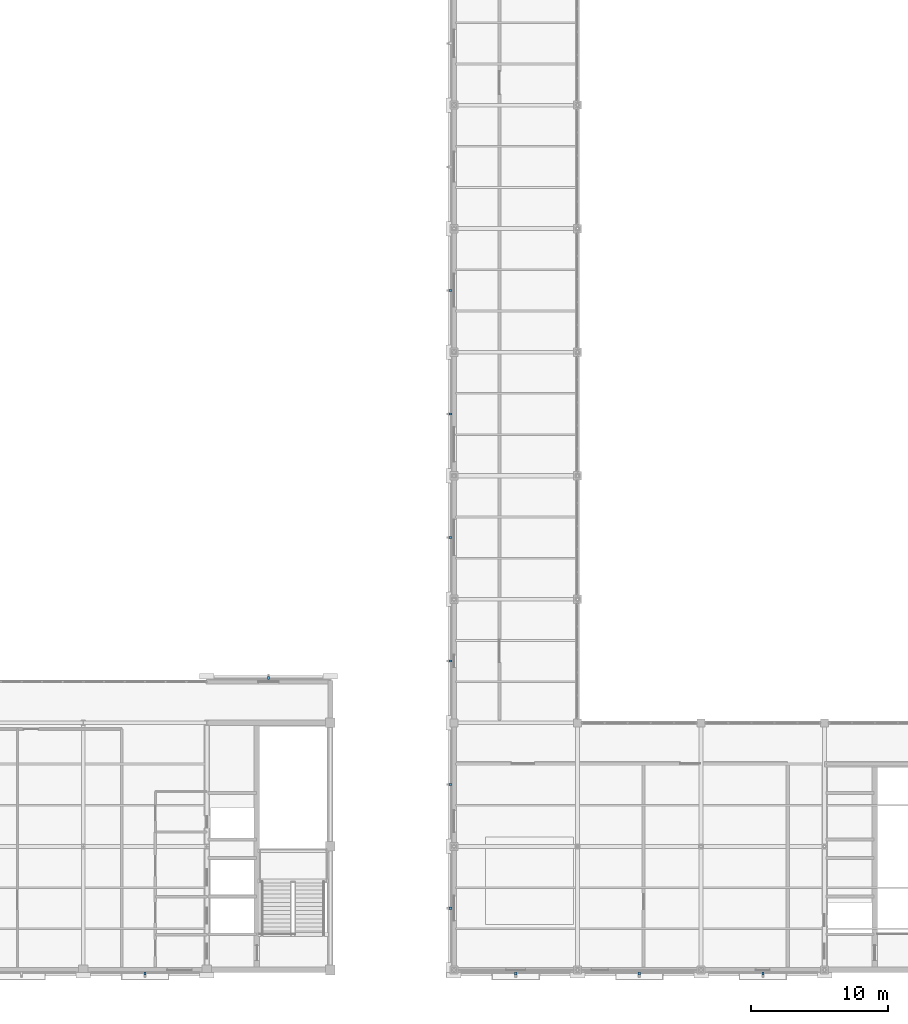
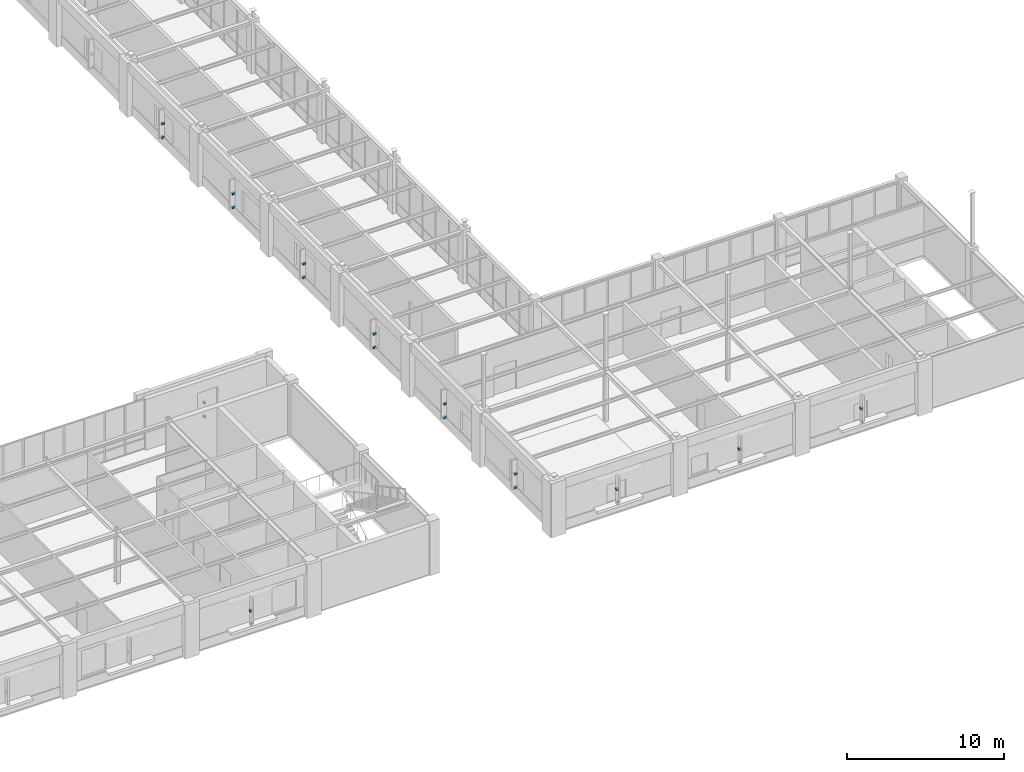
# One storey, part 88 of 97: 22 discrete accessories.
"""IFC4 building model written with IfcOpenShell, lengths in metres."""

from ifc_helpers import new_model, si_unit, direction, frame, origin, origin_2d, place, context, subcontext, project, spatial, rectangle, extrude, material, type_object, element, save


model = new_model("IFC4")

# Units and contexts
model_context = context("Model", 3, precision=1e-05, world=origin(), true_north=direction((0.0, 1.0)))
body_context = subcontext(model_context, "Body", "Model", "MODEL_VIEW")
ifc_project = project(units=[si_unit("LENGTHUNIT", "METRE"), si_unit("AREAUNIT", "SQUARE_METRE"), si_unit("VOLUMEUNIT", "CUBIC_METRE"), si_unit("PLANEANGLEUNIT", "RADIAN"), si_unit("MASSUNIT", "GRAM", prefix="KILO")], contexts=[model_context])

# Site, building, storey
site_placement = place(None, origin())
site = spatial("IfcSite", under=ifc_project, at=site_placement, CompositionType="ELEMENT")
building_placement = place(site_placement, origin())
building = spatial("IfcBuilding", under=site, at=building_placement, Name="Lykobir Media Centre", CompositionType="ELEMENT")
storey_placement = place(building_placement, frame((0.0, 0.0, 23.39990234375)))
storey = spatial("IfcBuildingStorey", under=building, at=storey_placement, Name="L05", CompositionType="ELEMENT", Elevation=23.39990234375)

# Discrete accessories
ifc_material = material(Name="Steel S355", Category="steel")
discrete_accessory_type = type_object("IfcDiscreteAccessoryType", Name="ACC-BRK", PredefinedType="BRACKET", material=ifc_material)
for number, where, z_axis, x_axis, name in (
    (1, (89.739990234375, 22.5, 0.7001953125), (0.0, 0.0, 1.0), (0.0, -1.0, 0.0), "Cumba corbel bracket 163"),
    (2, (89.739990234375, 22.5, 1.77001953125), (0.0, 0.0, 1.0), (0.0, -1.0, 0.0), "Shading fin bracket 164"),
    (3, (89.739990234375, 31.5, 0.7001953125), (0.0, 0.0, 1.0), (0.0, -1.0, 0.0), "Cumba corbel bracket 165"),
    (4, (89.739990234375, 31.5, 1.77001953125), (0.0, 0.0, 1.0), (0.0, -1.0, 0.0), "Shading fin bracket 166"),
    (5, (89.739990234375, 40.5, 0.7001953125), (0.0, 0.0, 1.0), (0.0, -1.0, 0.0), "Cumba corbel bracket 167"),
    (6, (89.739990234375, 40.5, 1.77001953125), (0.0, 0.0, 1.0), (0.0, -1.0, 0.0), "Shading fin bracket 168"),
    (7, (89.739990234375, 49.5, 0.7001953125), (0.0, 0.0, 1.0), (0.0, -1.0, 0.0), "Cumba corbel bracket 169"),
    (8, (89.739990234375, 49.5, 1.77001953125), (0.0, 0.0, 1.0), (0.0, -1.0, 0.0), "Shading fin bracket 170"),
    (9, (89.739990234375, 4.5, 0.7001953125), (0.0, 0.0, 1.0), (0.0, -1.0, 0.0), "Cumba corbel bracket 175"),
    (10, (89.739990234375, 4.5, 1.77001953125), (0.0, 0.0, 1.0), (0.0, -1.0, 0.0), "Shading fin bracket 176"),
    (11, (89.739990234375, 13.5, 0.7001953125), (0.0, 0.0, 1.0), (0.0, -1.0, 0.0), "Cumba corbel bracket 177"),
    (12, (89.739990234375, 13.5, 1.77001953125), (0.0, 0.0, 1.0), (0.0, -1.0, 0.0), "Shading fin bracket 178"),
    (13, (94.5, -0.260009765625, 0.7001953125), (0.0, 0.0, 1.0), (1.0, 0.0, 0.0), "Cumba corbel bracket 179"),
    (14, (94.5, -0.260009765625, 1.77001953125), (0.0, 0.0, 1.0), (1.0, 0.0, 0.0), "Shading fin bracket 180"),
    (15, (103.5, -0.260009765625, 0.7001953125), (0.0, 0.0, 1.0), (1.0, 0.0, 0.0), "Cumba corbel bracket 181"),
    (16, (103.5, -0.260009765625, 1.77001953125), (0.0, 0.0, 1.0), (1.0, 0.0, 0.0), "Shading fin bracket 182"),
    (17, (112.5, -0.260009765625, 0.7001953125), (0.0, 0.0, 1.0), (1.0, 0.0, 0.0), "Cumba corbel bracket 183"),
    (18, (112.5, -0.260009765625, 1.77001953125), (0.0, 0.0, 1.0), (1.0, 0.0, 0.0), "Shading fin bracket 184"),
    (19, (76.5, 21.260009765625, 0.7001953125), (0.0, 0.0, 1.0), (-1.0, 0.0, 0.0), "Cumba corbel bracket 185"),
    (20, (76.5, 21.260009765625, 1.77001953125), (0.0, 0.0, 1.0), (-1.0, 0.0, 0.0), "Shading fin bracket 186"),
    (21, (67.5, -0.260009765625, 0.7001953125), (0.0, 0.0, 1.0), (1.0, 0.0, 0.0), "Cumba corbel bracket 217"),
    (22, (67.5, -0.260009765625, 1.77001953125), (0.0, 0.0, 1.0), (1.0, 0.0, 0.0), "Shading fin bracket 218"),
):
    element("IfcDiscreteAccessory", number, at=place(storey_placement, frame(where, z_axis=z_axis, x_axis=x_axis)), inside=storey, type_object=discrete_accessory_type, Name=name, PredefinedType="BRACKET", context=body_context, shape_type="SweptSolid", body=[
        extrude(rectangle(XDim=0.159912109375, YDim=0.219970703125, at=origin_2d()), origin(), (0.0, 0.0, 1.0), 0.159912109375),
    ])

save(model, "model.ifc")
